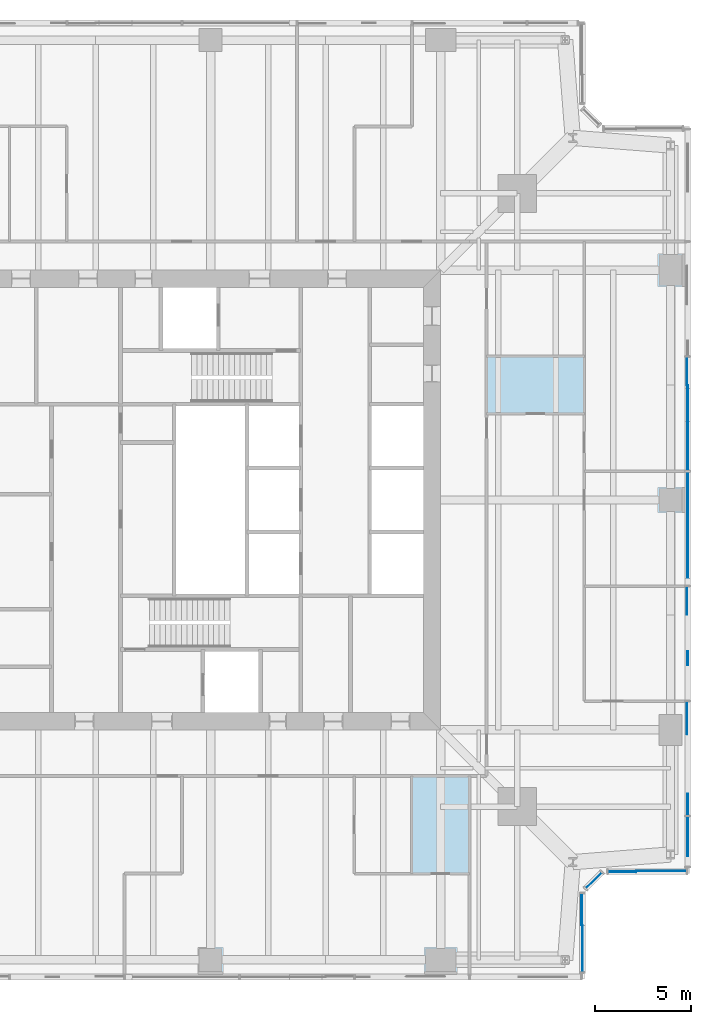
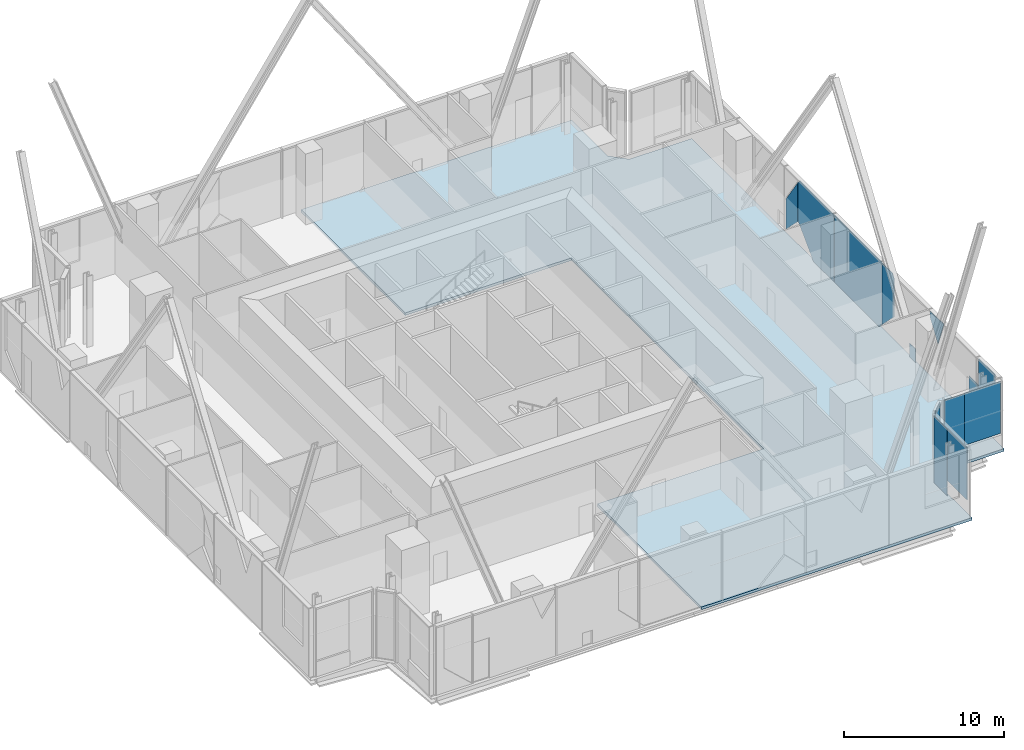
# One storey, part 7 of 14: 13 plates, 1 slab, 4 elements without a shape of their own.
"""IFC4 building model written with IfcOpenShell, lengths in metres."""

from ifc_helpers import new_model, si_unit, direction, frame, origin, origin_2d, place, context, subcontext, project, spatial, polyline, rectangle, outline, extrude, material, layer, layer_set, type_object, element, aggregate, save


model = new_model("IFC4")

# Units and contexts
model_context = context("Model", 3, precision=1e-05, world=origin(), true_north=direction((0.0, 1.0)))
body_context = subcontext(model_context, "Body", "Model", "MODEL_VIEW")
ifc_project = project(units=[si_unit("LENGTHUNIT", "METRE"), si_unit("AREAUNIT", "SQUARE_METRE"), si_unit("VOLUMEUNIT", "CUBIC_METRE"), si_unit("PLANEANGLEUNIT", "RADIAN"), si_unit("MASSUNIT", "GRAM", prefix="KILO")], contexts=[model_context])

# Site, building, storey
site_placement = place(None, origin())
site = spatial("IfcSite", under=ifc_project, at=site_placement, CompositionType="ELEMENT")
building_placement = place(site_placement, origin())
building = spatial("IfcBuilding", under=site, at=building_placement, Name="Fenwick Lantern Interchange", CompositionType="ELEMENT")
storey_placement = place(building_placement, frame((0.0, 0.0, 168.39990234375)))
storey = spatial("IfcBuildingStorey", under=building, at=storey_placement, Name="L39", CompositionType="ELEMENT", Elevation=168.39990234375)

# Slab
ifc_material_1 = material(Name="Concrete f'c 35 MPa", Category="concrete")
ifc_layer_1 = layer(ifc_material_1, 0.199951171875)
ifc_layer_set_1 = layer_set([ifc_layer_1], Name="Concrete f'c 35 MPa")
slab_type = type_object("IfcSlabType", Name="FLOOR SLAB 200", PredefinedType="FLOOR", material=ifc_layer_set_1)
slab_placement = place(storey_placement, frame((0.0, 0.0, -0.199951171875)))
element("IfcSlab", 1, at=slab_placement, inside=storey, type_object=slab_type, Name="L39/SLAB/FE", PredefinedType="FLOOR", context=body_context, shape_type="SweptSolid", body=[
    extrude(outline(polyline([(44.5, 50.0), (44.5, 45.5), (45.5, 44.5), (50.0, 44.5), (50.0, 5.5), (45.5, 5.5), (44.5, 4.5), (44.5, 0.0), (25.0, 0.0), (25.0, 13.0), (37.0, 13.0), (37.0, 37.0), (25.0, 37.0), (25.0, 50.0), (44.5, 50.0)])), origin(), (0.0, 0.0, 1.0), 0.199951171875),
])

# Curtain wall, plates
ifc_material_2 = material(Name="Aluminium curtain wall frame", Category="aluminium")
curtain_wall_type = type_object("IfcCurtainWallType", Name="SKY LOBBY GLAZING", PredefinedType="USERDEFINED", material=ifc_material_2)
curtain_wall_1_placement = place(storey_placement, origin())
curtain_wall_1 = element("IfcCurtainWall", 2, at=curtain_wall_1_placement, inside=storey, type_object=curtain_wall_type, Name="Sky lobby glazing 02", ObjectType="SKY LOBBY GLAZING", PredefinedType="USERDEFINED")
ifc_material_3 = material(Name="Vision glass, clear laminated double glazed", Category="glass")
ifc_layer_2 = layer(ifc_material_3, 0.035888671875)
ifc_layer_set_2 = layer_set([ifc_layer_2], Name="SKY LOBBY GLAZING PANEL 36")
plate_type = type_object("IfcPlateType", Name="SKY LOBBY GLAZING PANEL 36", PredefinedType="CURTAIN_PANEL", material=ifc_layer_set_2)
plate_1_placement = place(storey_placement, frame((44.39990234375, 0.10009765625, 1.150146484375), z_axis=(0.0, 0.0, 1.0), x_axis=(0.0, 1.0, 0.0)))
plate_1 = element("IfcPlate", 3, at=plate_1_placement, type_object=plate_type, Name="L39/CW/02/P00a", PredefinedType="CURTAIN_PANEL", context=body_context, shape_type="SweptSolid", body=[
    extrude(outline(polyline([(0.280029296875, 0.0), (2.699951171875, 0.0), (2.699951171875, 3.97998046875), (0.280029296875, 3.97998046875), (0.280029296875, 0.0)])), frame((0.0, 0.01806640625, 0.0), z_axis=(0.0, -1.0, 0.0), x_axis=(1.0, 0.0, 0.0)), (0.0, 0.0, 1.0), 0.035888671875),
])
plate_2_placement = place(storey_placement, frame((44.39990234375, 0.10009765625, 0.0), z_axis=(0.0, 0.0, 1.0), x_axis=(0.0, 1.0, 0.0)))
plate_2 = element("IfcPlate", 4, at=plate_2_placement, type_object=plate_type, Name="L39/CW/02/P00b", PredefinedType="CURTAIN_PANEL", context=body_context, shape_type="SweptSolid", body=[
    extrude(outline(polyline([(2.699951171875, 0.0), (4.361328125, 0.0), (4.361328125, 5.130126953125), (2.699951171875, 5.130126953125), (2.699951171875, 0.0)])), frame((0.0, 0.05615234375, 0.0), z_axis=(0.0, -1.0, 0.0), x_axis=(1.0, 0.0, 0.0)), (0.0, 0.0, 1.0), 0.035888671875),
])
aggregate(curtain_wall_1, [plate_1, plate_2])

# Curtain wall, plate
curtain_wall_2_placement = place(storey_placement, origin())
curtain_wall_2 = element("IfcCurtainWall", 5, at=curtain_wall_2_placement, inside=storey, type_object=curtain_wall_type, Name="Sky lobby glazing 03", ObjectType="SKY LOBBY GLAZING", PredefinedType="USERDEFINED")
plate_3_placement = place(storey_placement, frame((45.0, 5.141357421875, 0.000244140625), z_axis=(0.0, 0.0, 1.0), x_axis=(0.707106781187, 0.707106781187, 0.0)))
plate_3 = element("IfcPlate", 6, at=plate_3_placement, type_object=plate_type, Name="L39/CW/03/P00", PredefinedType="CURTAIN_PANEL", context=body_context, shape_type="SweptSolid", body=[
    extrude(rectangle(XDim=1.136962890625, YDim=0.035888671875, at=origin_2d()), origin(), (0.0, 0.0, 1.0), 5.1298828125),
])
aggregate(curtain_wall_2, [plate_3])

# Curtain wall, plates
curtain_wall_3_placement = place(storey_placement, origin())
curtain_wall_3 = element("IfcCurtainWall", 7, at=curtain_wall_3_placement, inside=storey, type_object=curtain_wall_type, Name="Sky lobby glazing 04", ObjectType="SKY LOBBY GLAZING", PredefinedType="USERDEFINED")
plate_4_placement = place(storey_placement, frame((45.45849609375, 5.60009765625, 0.0), z_axis=(0.0, 0.0, 1.0), x_axis=(1.0, 0.0, 0.0)))
plate_4 = element("IfcPlate", 8, at=plate_4_placement, type_object=plate_type, Name="L39/CW/04/P00a", PredefinedType="CURTAIN_PANEL", context=body_context, shape_type="SweptSolid", body=[
    extrude(outline(polyline([(0.280029296875, 0.0), (1.741455078125, 0.0), (1.741455078125, 5.130126953125), (0.280029296875, 5.130126953125), (0.280029296875, 0.0)])), frame((0.0, 0.01806640625, 0.0), z_axis=(0.0, -1.0, 0.0), x_axis=(1.0, 0.0, 0.0)), (0.0, 0.0, 1.0), 0.035888671875),
])
plate_5_placement = place(storey_placement, frame((45.45849609375, 5.60009765625, 1.150146484375), z_axis=(0.0, 0.0, 1.0), x_axis=(1.0, 0.0, 0.0)))
plate_5 = element("IfcPlate", 9, at=plate_5_placement, type_object=plate_type, Name="L39/CW/04/P00b", PredefinedType="CURTAIN_PANEL", context=body_context, shape_type="SweptSolid", body=[
    extrude(outline(polyline([(1.741455078125, 0.0), (4.361328125, 0.0), (4.361328125, 3.97998046875), (1.741455078125, 3.97998046875), (1.741455078125, 0.0)])), frame((0.0, 0.05615234375, 0.0), z_axis=(0.0, -1.0, 0.0), x_axis=(1.0, 0.0, 0.0)), (0.0, 0.0, 1.0), 0.035888671875),
])
aggregate(curtain_wall_3, [plate_4, plate_5])

curtain_wall_4_placement = place(storey_placement, origin())
curtain_wall_4 = element("IfcCurtainWall", 10, at=curtain_wall_4_placement, inside=storey, type_object=curtain_wall_type, Name="Sky lobby glazing 05", ObjectType="SKY LOBBY GLAZING", PredefinedType="USERDEFINED")
plate_6_placement = place(storey_placement, frame((49.89990234375, 5.60009765625, 0.0), z_axis=(0.0, 0.0, 1.0), x_axis=(0.0, 1.0, 0.0)))
plate_6 = element("IfcPlate", 11, at=plate_6_placement, type_object=plate_type, Name="L39/CW/05/P00a", PredefinedType="CURTAIN_PANEL", context=body_context, shape_type="SweptSolid", body=[
    extrude(outline(polyline([(2.849609375, 0.0), (2.860107421875, 0.0), (2.860107421875, 5.130126953125), (0.79833984375, 5.130126953125), (0.79833984375, 1.8935546875), (2.849609375, 0.0)])), frame((0.0, 0.01806640625, 0.0), z_axis=(0.0, -1.0, 0.0), x_axis=(1.0, 0.0, 0.0)), (0.0, 0.0, 1.0), 0.035888671875),
])
plate_7_placement = place(storey_placement, frame((49.89990234375, 5.60009765625, 0.0), z_axis=(0.0, 0.0, 1.0), x_axis=(0.0, 1.0, 0.0)))
plate_7 = element("IfcPlate", 12, at=plate_7_placement, type_object=plate_type, Name="L39/CW/05/P01a", PredefinedType="CURTAIN_PANEL", context=body_context, shape_type="SweptSolid", body=[
    extrude(outline(polyline([(2.93994140625, 0.0), (4.080078125, 0.0), (4.080078125, 3.069580078125), (2.93994140625, 3.069580078125), (2.93994140625, 0.0)])), frame((0.0, 0.01806640625, 0.0), z_axis=(0.0, -1.0, 0.0), x_axis=(1.0, 0.0, 0.0)), (0.0, 0.0, 1.0), 0.035888671875),
])
plate_8_placement = place(storey_placement, frame((49.89990234375, 5.60009765625, 3.182373046875), z_axis=(0.0, 0.0, 1.0), x_axis=(0.0, 1.0, 0.0)))
plate_8 = element("IfcPlate", 13, at=plate_8_placement, type_object=plate_type, Name="L39/CW/05/P01b", PredefinedType="CURTAIN_PANEL", context=body_context, shape_type="SweptSolid", body=[
    extrude(outline(polyline([(7.878662109375, 0.0), (8.860107421875, 1.4306640625), (8.860107421875, 1.94775390625), (7.15478515625, 1.94775390625), (7.878662109375, 0.0)])), frame((0.0, 0.05615234375, 0.0), z_axis=(0.0, -1.0, 0.0), x_axis=(1.0, 0.0, 0.0)), (0.0, 0.0, 1.0), 0.035888671875),
])
plate_9_placement = place(storey_placement, frame((49.89990234375, 5.60009765625, 0.0), z_axis=(0.0, 0.0, 1.0), x_axis=(0.0, 1.0, 0.0)))
plate_9 = element("IfcPlate", 14, at=plate_9_placement, type_object=plate_type, Name="L39/CW/05/P02a", PredefinedType="CURTAIN_PANEL", context=body_context, shape_type="SweptSolid", body=[
    extrude(outline(polyline([(10.781005859375, 0.0), (11.5009765625, 0.0), (11.5009765625, 1.049560546875), (10.781005859375, 1.049560546875), (10.781005859375, 0.0)])), frame((0.0, 0.01806640625, 0.0), z_axis=(0.0, -1.0, 0.0), x_axis=(1.0, 0.0, 0.0)), (0.0, 0.0, 1.0), 0.035888671875),
])
plate_10_placement = place(storey_placement, frame((49.89990234375, 5.60009765625, 0.435791015625), z_axis=(0.0, 0.0, 1.0), x_axis=(0.0, 1.0, 0.0)))
plate_10 = element("IfcPlate", 15, at=plate_10_placement, type_object=plate_type, Name="L39/CW/05/P02b", PredefinedType="CURTAIN_PANEL", context=body_context, shape_type="SweptSolid", body=[
    extrude(outline(polyline([(14.860107421875, 0.0), (14.860107421875, 4.6943359375), (13.58056640625, 4.6943359375), (13.39990234375, 4.43115234375), (13.39990234375, 1.4599609375), (14.860107421875, 0.0)])), frame((0.0, 0.05615234375, 0.0), z_axis=(0.0, -1.0, 0.0), x_axis=(1.0, 0.0, 0.0)), (0.0, 0.0, 1.0), 0.035888671875),
])
plate_11_placement = place(storey_placement, frame((49.89990234375, 5.60009765625, 0.0), z_axis=(0.0, 0.0, 1.0), x_axis=(0.0, 1.0, 0.0)))
plate_11 = element("IfcPlate", 16, at=plate_11_placement, type_object=plate_type, Name="L39/CW/05/P03a", PredefinedType="CURTAIN_PANEL", context=body_context, shape_type="SweptSolid", body=[
    extrude(outline(polyline([(15.295654296875, 0.0), (20.860107421875, 0.0), (20.860107421875, 5.130126953125), (14.93994140625, 5.130126953125), (14.93994140625, 0.355712890625), (15.295654296875, 0.0)])), frame((0.0, 0.01806640625, 0.0), z_axis=(0.0, -1.0, 0.0), x_axis=(1.0, 0.0, 0.0)), (0.0, 0.0, 1.0), 0.035888671875),
])
plate_12_placement = place(storey_placement, frame((49.89990234375, 5.60009765625, 0.0), z_axis=(0.0, 0.0, 1.0), x_axis=(0.0, 1.0, 0.0)))
plate_12 = element("IfcPlate", 17, at=plate_12_placement, type_object=plate_type, Name="L39/CW/05/P04a", PredefinedType="CURTAIN_PANEL", context=body_context, shape_type="SweptSolid", body=[
    extrude(outline(polyline([(20.93994140625, 0.0), (23.50439453125, 0.0), (25.39990234375, 1.895751953125), (25.39990234375, 4.866943359375), (25.219482421875, 5.130126953125), (20.93994140625, 5.130126953125), (20.93994140625, 0.0)])), frame((0.0, 0.01806640625, 0.0), z_axis=(0.0, -1.0, 0.0), x_axis=(1.0, 0.0, 0.0)), (0.0, 0.0, 1.0), 0.035888671875),
])
plate_13_placement = place(storey_placement, frame((49.89990234375, 5.60009765625, 0.435791015625), z_axis=(0.0, 0.0, 1.0), x_axis=(0.0, 1.0, 0.0)))
plate_13 = element("IfcPlate", 18, at=plate_13_placement, type_object=plate_type, Name="L39/CW/05/P04b", PredefinedType="CURTAIN_PANEL", context=body_context, shape_type="SweptSolid", body=[
    extrude(outline(polyline([(26.860107421875, 0.0), (26.860107421875, 2.302978515625), (25.39990234375, 4.43115234375), (25.39990234375, 1.4599609375), (26.860107421875, 0.0)])), frame((0.0, 0.05615234375, 0.0), z_axis=(0.0, -1.0, 0.0), x_axis=(1.0, 0.0, 0.0)), (0.0, 0.0, 1.0), 0.035888671875),
])
aggregate(curtain_wall_4, [plate_6, plate_7, plate_8, plate_9, plate_10, plate_11, plate_12, plate_13])

save(model, "model.ifc")
